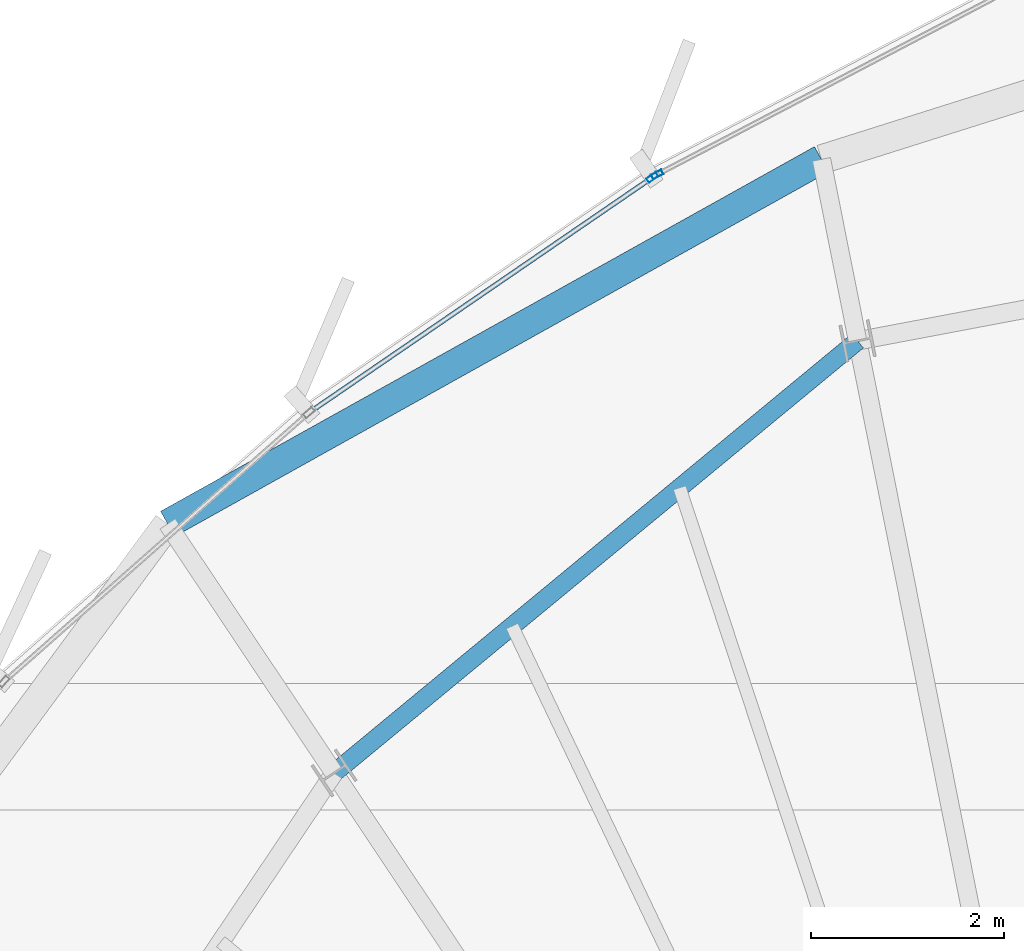
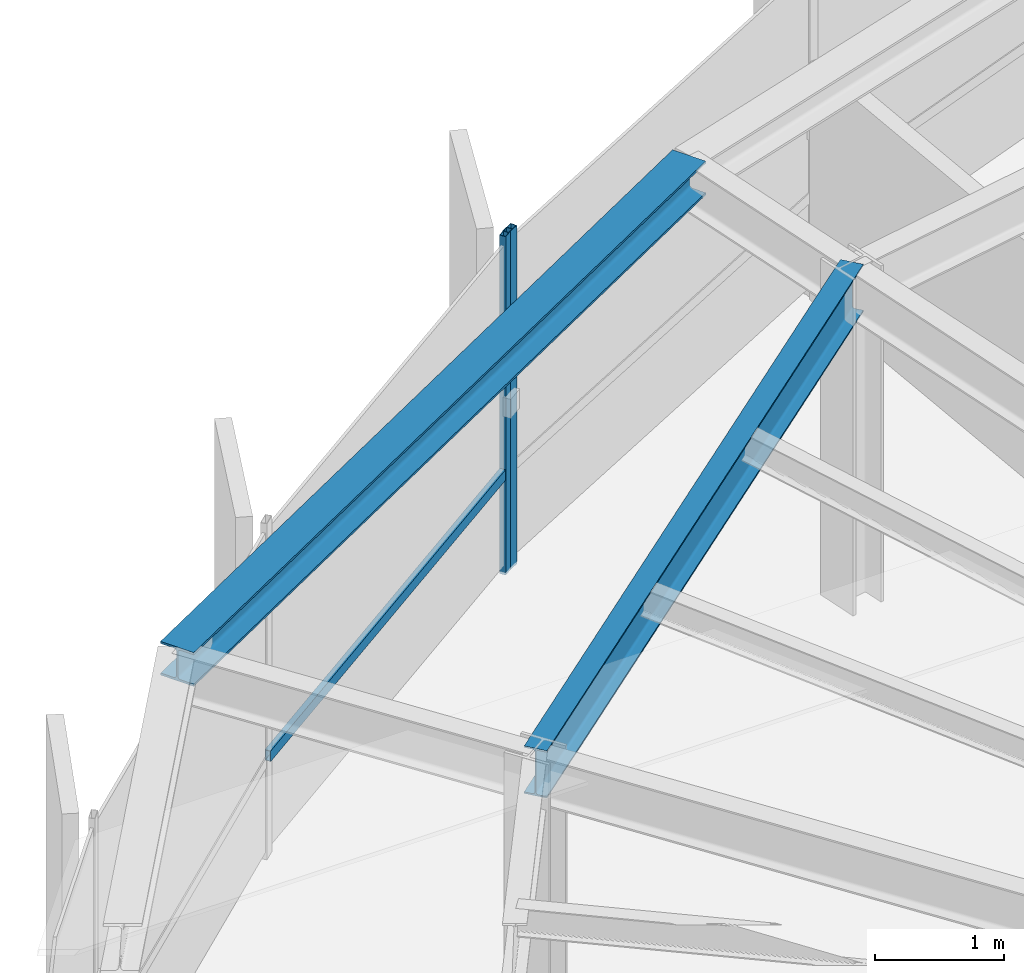
# One storey, part 21 of 35: 3 members, 2 beams, 2 elements without a shape of their own.
"""IFC4 building model written with IfcOpenShell, lengths in metres."""

from ifc_helpers import new_model, si_unit, direction, frame, origin, origin_2d, place, context, subcontext, project, spatial, hollow_rectangle, i_section, extrude, source, transform, mapped, material, layer, layer_set, material_profile, profile_set, type_object, element, aggregate, save


model = new_model("IFC4")

# Units and contexts
model_context = context("Model", 3, precision=1e-05, world=origin(), true_north=direction((0.0, 1.0)))
body_context = subcontext(model_context, "Body", "Model", "MODEL_VIEW")
ifc_project = project(units=[si_unit("LENGTHUNIT", "METRE"), si_unit("AREAUNIT", "SQUARE_METRE"), si_unit("VOLUMEUNIT", "CUBIC_METRE"), si_unit("PLANEANGLEUNIT", "RADIAN"), si_unit("MASSUNIT", "GRAM", prefix="KILO"), si_unit("THERMODYNAMICTEMPERATUREUNIT", "KELVIN")], contexts=[model_context])

# Site, building, storey
site_placement = place(None, origin())
site = spatial("IfcSite", under=ifc_project, at=site_placement, CompositionType="ELEMENT")
building_placement = place(site_placement, origin())
building = spatial("IfcBuilding", under=site, at=building_placement, Name="Kethvar Cultural Tower", CompositionType="ELEMENT")
storey_placement = place(building_placement, frame((0.0, 0.0, 249.10009765625)))
storey = spatial("IfcBuildingStorey", under=building, at=storey_placement, Name="L65", CompositionType="ELEMENT", Elevation=249.10009765625)

# Beams
ifc_material_1 = material(Name="Steel S355J2", Category="steel")
ifc_material_profile_1 = material_profile(ifc_material_1, i_section(OverallWidth=0.18994140625, OverallDepth=0.449951171875, WebThickness=0.009521484375, FlangeThickness=0.0146484375, FilletRadius=0.02099609375, at=origin_2d()), Name="Steel S355J2 — IPE450")
ifc_profile_set_1 = profile_set([ifc_material_profile_1], Name="Steel S355J2 — IPE450")
beam_type_1 = type_object("IfcBeamType", Name="BM-IPE450", PredefinedType="BEAM", material=ifc_profile_set_1)
shared_shape_1 = source(origin(), body_context, "Body", "SweptSolid", [
    extrude(i_section(OverallWidth=0.18994140625, OverallDepth=0.449951171875, WebThickness=0.009521484375, FlangeThickness=0.0146484375, FilletRadius=0.02099609375, at=origin_2d()), origin(), (0.0, 0.0, 1.0), 7.03271484375),
])
beam_1_placement = place(storey_placement, frame((43.23291015625, 45.732421875, 2.98291015625), z_axis=(-0.771161072103, -0.636640087391, 0.0), x_axis=(0.636640087391, -0.771161072103, 0.0)))
element("IfcBeam", 1, at=beam_1_placement, inside=storey, type_object=beam_type_1, Name="L65 Column Ring Tie Beam CR-05", PredefinedType="BEAM", context=body_context, shape_type="MappedRepresentation", body=[
    mapped(shared_shape_1, transform((0.0, 0.0, 0.0), scale=1.0)),
])
ifc_material_profile_2 = material_profile(ifc_material_1, i_section(OverallWidth=0.300048828125, OverallDepth=0.320068359375, WebThickness=0.011474609375, FlangeThickness=0.0205078125, FilletRadius=0.027099609375, at=origin_2d()), Name="Steel S355J2 — HEB320")
ifc_profile_set_2 = profile_set([ifc_material_profile_2], Name="Steel S355J2 — HEB320")
beam_type_2 = type_object("IfcBeamType", Name="BM-SP320", PredefinedType="SPANDREL", material=ifc_profile_set_2)
shared_shape_2 = source(origin(), body_context, "Body", "SweptSolid", [
    extrude(i_section(OverallWidth=0.300048828125, OverallDepth=0.320068359375, WebThickness=0.011474609375, FlangeThickness=0.0205078125, FilletRadius=0.027099609375, at=origin_2d()), origin(), (0.0, 0.0, 1.0), 7.755615234375),
])
beam_2_placement = place(storey_placement, frame((42.85888671875, 47.61279296875, 3.0478515625), z_axis=(-0.873392972245, -0.48701613529, 0.0), x_axis=(0.48701613529, -0.873392972245, 0.0)))
element("IfcBeam", 2, at=beam_2_placement, inside=storey, type_object=beam_type_2, Name="L65 Perimeter Spandrel Beam SP-05", PredefinedType="SPANDREL", context=body_context, shape_type="MappedRepresentation", body=[
    mapped(shared_shape_2, transform((0.0, 0.0, 0.0), scale=1.0)),
])

# Curtain wall, member
ifc_material_2 = material(Name="Aluminium 6063-T6", Category="aluminium")
ifc_layer = layer(ifc_material_2, 0.179931640625, Name="Aluminium 6063-T6", Category="aluminium")
ifc_layer_set = layer_set([ifc_layer], Name="Aluminium 6063-T6 (180 mm)")
curtain_wall_type = type_object("IfcCurtainWallType", Name="CW-SYS-05-Z56", PredefinedType="NOTDEFINED", material=ifc_layer_set)
curtain_wall_1_placement = place(storey_placement, origin())
curtain_wall_1 = element("IfcCurtainWall", 3, at=curtain_wall_1_placement, inside=storey, type_object=curtain_wall_type, Name="L65 Curtain Wall Run 01", PredefinedType="NOTDEFINED")
ifc_material_profile_3 = material_profile(ifc_material_2, hollow_rectangle(XDim=0.054931640625, YDim=0.1201171875, WallThickness=0.00390625, at=origin_2d()), Name="Aluminium 6063-T6 — RHS120x55x4")
ifc_profile_set_3 = profile_set([ifc_material_profile_3], Name="Aluminium 6063-T6 — RHS120x55x4")
member_type_1 = type_object("IfcMemberType", Name="CW-SYS-05-Z56-MUL", PredefinedType="MULLION", material=ifc_profile_set_3)
shared_shape_3 = source(origin(), body_context, "Body", "SweptSolid", [
    extrude(hollow_rectangle(XDim=0.054931640625, YDim=0.1201171875, WallThickness=0.00390625, at=origin_2d()), origin(), (0.0, 0.0, 1.0), 3.2099609375),
])
member_1_placement = place(storey_placement, frame((41.157958984375, 47.4560546875, 0.0), z_axis=(0.0, 0.0, 1.0), x_axis=(0.46399191482, -0.885839434086, 0.0)))
member_1 = element("IfcMember", 4, at=member_1_placement, type_object=member_type_1, Name="CW-L65-R01 Mullion 7", PredefinedType="MULLION", context=body_context, shape_type="MappedRepresentation", body=[
    mapped(shared_shape_3, transform((0.0, 0.0, 0.0), scale=1.0)),
])
aggregate(curtain_wall_1, [member_1])

# Curtain wall, members
curtain_wall_2_placement = place(storey_placement, origin())
curtain_wall_2 = element("IfcCurtainWall", 5, at=curtain_wall_2_placement, inside=storey, type_object=curtain_wall_type, Name="L65 Curtain Wall Run 02", PredefinedType="NOTDEFINED")
member_2_placement = place(storey_placement, frame((41.106689453125, 47.42529296875, 0.0), z_axis=(0.0, 0.0, 1.0), x_axis=(0.565211794656, -0.824945832877, 0.0)))
member_2 = element("IfcMember", 6, at=member_2_placement, type_object=member_type_1, Name="CW-L65-R02 Mullion 1", PredefinedType="MULLION", context=body_context, shape_type="MappedRepresentation", body=[
    mapped(shared_shape_3, transform((0.0, 0.0, 0.0), scale=1.0)),
])
ifc_material_profile_4 = material_profile(ifc_material_2, hollow_rectangle(XDim=0.050048828125, YDim=0.10009765625, WallThickness=0.00390625, at=origin_2d()), Name="Aluminium 6063-T6 — RHS100x50x4")
ifc_profile_set_4 = profile_set([ifc_material_profile_4], Name="Aluminium 6063-T6 — RHS100x50x4")
member_type_2 = type_object("IfcMemberType", Name="CW-SYS-05-Z56-TRN", PredefinedType="USERDEFINED", material=ifc_profile_set_4)
shared_shape_4 = source(origin(), body_context, "Body", "SweptSolid", [
    extrude(hollow_rectangle(XDim=0.050048828125, YDim=0.10009765625, WallThickness=0.00390625, at=origin_2d()), origin(), (0.0, 0.0, 1.0), 4.281005859375),
])
member_3_placement = place(storey_placement, frame((41.103759765625, 47.423095703125, 0.949951171875), z_axis=(-0.824956007626, -0.565196943978, 0.0), x_axis=(0.565196943978, -0.824956007626, 0.0)))
member_3 = element("IfcMember", 7, at=member_3_placement, type_object=member_type_2, Name="CW-L65-R02 Transom 1", ObjectType="TRANSOM", PredefinedType="USERDEFINED", context=body_context, shape_type="MappedRepresentation", body=[
    mapped(shared_shape_4, transform((0.0, 0.0, 0.0), scale=1.0)),
])
aggregate(curtain_wall_2, [member_2, member_3])

save(model, "model.ifc")
